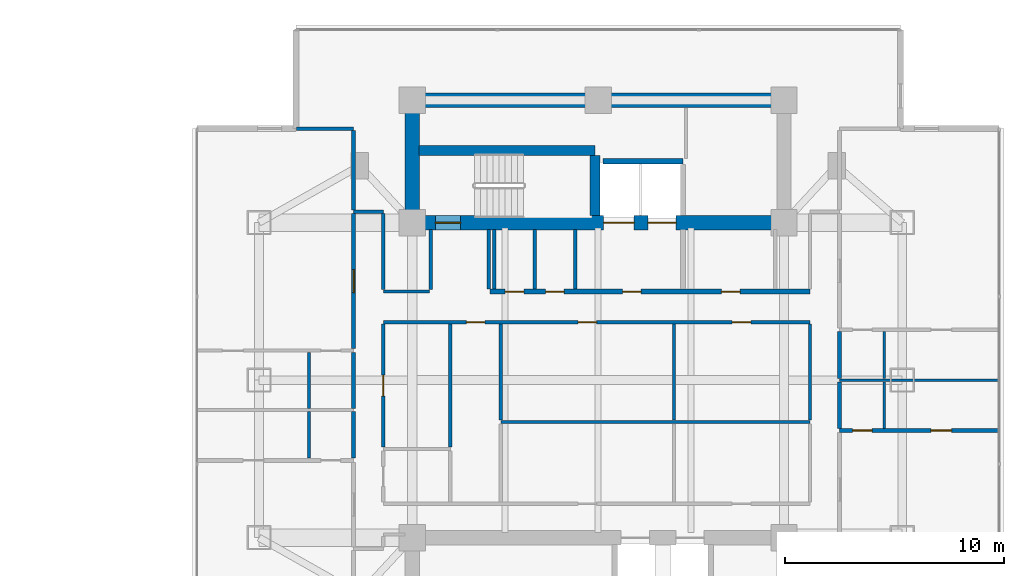
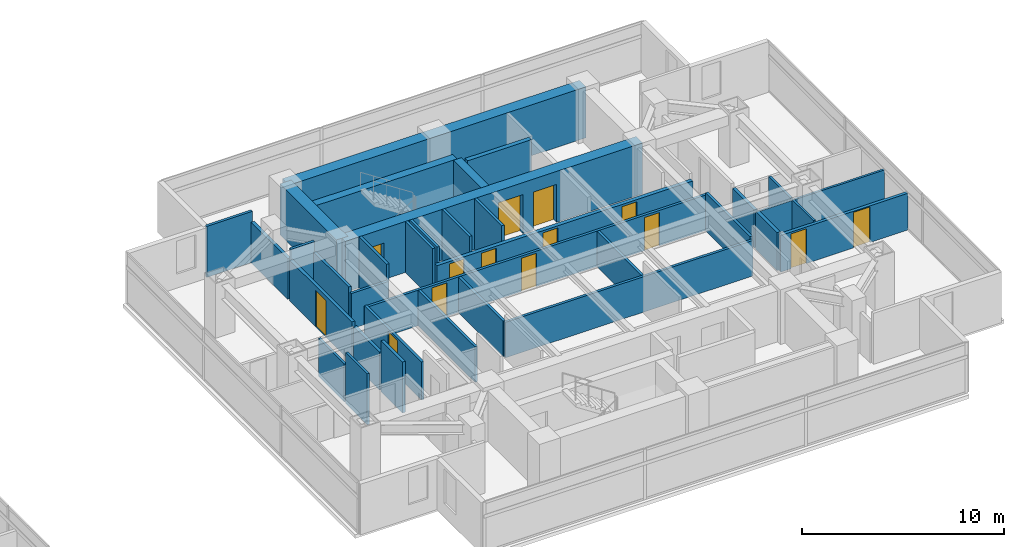
# One storey, part 17 of 25: 35 walls, 14 doors, 14 openings.
"""IFC4 building model written with IfcOpenShell, lengths in metres."""

from ifc_helpers import new_model, si_unit, direction, frame, frame_2d, origin, place, context, subcontext, project, spatial, rectangle, extrude, material, layer, layer_set, type_object, element, fill, save


model = new_model("IFC4")

# Units and contexts
model_context = context("Model", 3, precision=1e-05, world=origin(), true_north=direction((0.0, 1.0)))
body_context = subcontext(model_context, "Body", "Model", "MODEL_VIEW")
ifc_project = project(units=[si_unit("LENGTHUNIT", "METRE"), si_unit("AREAUNIT", "SQUARE_METRE"), si_unit("VOLUMEUNIT", "CUBIC_METRE"), si_unit("PLANEANGLEUNIT", "RADIAN"), si_unit("MASSUNIT", "GRAM", prefix="KILO")], contexts=[model_context])

# Site, building, storey
site_placement = place(None, origin())
site = spatial("IfcSite", under=ifc_project, at=site_placement, CompositionType="ELEMENT")
building_placement = place(site_placement, origin())
building = spatial("IfcBuilding", under=site, at=building_placement, Name="Mirazonda Arch Towers", CompositionType="ELEMENT")
storey_placement = place(building_placement, frame((0.0, 0.0, 104.89990234375)))
storey = spatial("IfcBuildingStorey", under=building, at=storey_placement, Name="L29", CompositionType="ELEMENT", Elevation=104.89990234375)

# Walls
ifc_material_1 = material(Name="Concrete C50/60", Category="concrete")
ifc_layer_1 = layer(ifc_material_1, 0.449951171875, Name="WALL-CORE-450")
ifc_layer_set_1 = layer_set([ifc_layer_1], Name="Concrete C50/60")
wall_type_1 = type_object("IfcWallType", Name="WALL-CORE-450", PredefinedType="SHEAR", material=ifc_layer_set_1)
wall_1_placement = place(storey_placement, frame((68.320068359375, 38.5, 0.0), z_axis=(0.0, 0.0, 1.0), x_axis=(1.0, 0.0, 0.0)))
element("IfcWall", 1, at=wall_1_placement, inside=storey, type_object=wall_type_1, Name="L29 Stair Core Shear Wall 059", PredefinedType="SHEAR", context=body_context, shape_type="SweptSolid", body=[
    extrude(rectangle(XDim=8.0400390625, YDim=0.449951171875, at=frame_2d((4.02001953125, 0.0))), origin(), (0.0, 0.0, 1.0), 3.080078125),
])
wall_2_placement = place(storey_placement, frame((76.360107421875, 35.52001953125, 0.0), z_axis=(0.0, 0.0, 1.0), x_axis=(0.0, 1.0, 0.0)))
element("IfcWall", 2, at=wall_2_placement, inside=storey, type_object=wall_type_1, Name="L29 Stair Core Shear Wall 156", PredefinedType="SHEAR", context=body_context, shape_type="SweptSolid", body=[
    extrude(rectangle(XDim=2.744873046875, YDim=0.449951171875, at=frame_2d((1.37255859375, 0.0))), origin(), (0.0, 0.0, 1.0), 3.080078125),
])
ifc_material_2 = material(Name="Concrete C60/75", Category="concrete")
ifc_layer_2 = layer(ifc_material_2, 0.64990234375, Name="WALL-CORE-650")
ifc_layer_set_2 = layer_set([ifc_layer_2], Name="Concrete C60/75")
wall_type_2 = type_object("IfcWallType", Name="WALL-CORE-650", PredefinedType="SHEAR", material=ifc_layer_set_2)
wall_3_placement = place(storey_placement, frame((68.0, 40.800048828125, 0.0), z_axis=(0.0, 0.0, 1.0), x_axis=(1.0, 0.0, 0.0)))
element("IfcWall", 3, at=wall_3_placement, inside=storey, type_object=wall_type_2, Name="L29 T2N-N Core Shear Wall", PredefinedType="SHEAR", context=body_context, shape_type="SweptSolid", body=[
    extrude(rectangle(XDim=17.0, YDim=0.64990234375, at=frame_2d((8.5, 0.0))), origin(), (0.0, 0.0, 1.0), 3.080078125),
])
wall_4_placement = place(storey_placement, frame((68.0, 35.199951171875, 0.0), z_axis=(0.0, 0.0, 1.0), x_axis=(0.0, 1.0, 0.0)))
element("IfcWall", 4, at=wall_4_placement, inside=storey, type_object=wall_type_2, Name="L29 T2N-W Core Shear Wall", PredefinedType="SHEAR", context=body_context, shape_type="SweptSolid", body=[
    extrude(rectangle(XDim=5.60009765625, YDim=0.64990234375, at=frame_2d((2.800048828125, 0.0))), origin(), (0.0, 0.0, 1.0), 3.080078125),
])

# Wall, openings, doors
wall_5_placement = place(storey_placement, frame((68.0, 35.199951171875, 0.0), z_axis=(0.0, 0.0, 1.0), x_axis=(1.0, 0.0, 0.0)))
wall_5 = element("IfcWall", 5, at=wall_5_placement, inside=storey, type_object=wall_type_2, Name="L29 T2N-S Core Shear Wall", PredefinedType="SHEAR", context=body_context, shape_type="SweptSolid", body=[
    extrude(rectangle(XDim=17.0, YDim=0.64990234375, at=frame_2d((8.5, 0.0))), origin(), (0.0, 0.0, 1.0), 3.080078125),
])
opening_1_placement = place(wall_5_placement, frame((1.06005859375, 0.0, 0.0)))
opening_1 = element("IfcOpeningElement", 6, at=opening_1_placement, cuts=wall_5, Name="Opening DR-135", PredefinedType="OPENING", context=body_context, shape_type="SweptSolid", body=[
    extrude(rectangle(XDim=1.14990234375, YDim=2.199951171875, at=frame_2d((0.574951171875, 1.10009765625))), frame((0.0, 0.3349609375, 0.0), z_axis=(0.0, -1.0, 0.0), x_axis=(1.0, 0.0, 0.0)), (0.0, 0.0, 1.0), 0.669921875),
])
opening_2_placement = place(wall_5_placement, frame((8.75, 0.0, 0.0)))
opening_2 = element("IfcOpeningElement", 7, at=opening_2_placement, cuts=wall_5, Name="Opening LD-112", PredefinedType="OPENING", context=body_context, shape_type="SweptSolid", body=[
    extrude(rectangle(XDim=1.39990234375, YDim=2.35009765625, at=frame_2d((0.699951171875, 1.175048828125))), frame((0.0, 0.3349609375, 0.0), z_axis=(0.0, -1.0, 0.0), x_axis=(1.0, 0.0, 0.0)), (0.0, 0.0, 1.0), 0.669921875),
])
opening_3_placement = place(wall_5_placement, frame((10.77001953125, 0.0, 0.0)))
opening_3 = element("IfcOpeningElement", 8, at=opening_3_placement, cuts=wall_5, Name="Opening LD-111", PredefinedType="OPENING", context=body_context, shape_type="SweptSolid", body=[
    extrude(rectangle(XDim=1.300048828125, YDim=2.300048828125, at=frame_2d((0.64990234375, 1.14990234375))), frame((0.0, 0.3349609375, 0.0), z_axis=(0.0, -1.0, 0.0), x_axis=(1.0, 0.0, 0.0)), (0.0, 0.0, 1.0), 0.669921875),
])
ifc_material_3 = material(Name="Architectural Brushed Steel S355", Category="steel")
door_type_1 = type_object("IfcDoorType", Name="DOOR-LIFT-FFL-1400", OperationType="NOTDEFINED", PredefinedType="DOOR", material=ifc_material_3)
door_1_placement = place(opening_2_placement, origin())
door_1 = element("IfcDoor", 9, at=door_1_placement, inside=storey, type_object=door_type_1, Name="L29 Lift Landing Sliding Door FFL-T2", OperationType="DOUBLE_DOOR_SLIDING", OverallHeight=2.35009765625, OverallWidth=1.39990234375, PredefinedType="DOOR", context=body_context, shape_type="SweptSolid", body=[
    extrude(rectangle(XDim=1.39990234375, YDim=2.35009765625, at=frame_2d((0.699951171875, 1.175048828125))), frame((0.0, 0.02490234375, 0.0), z_axis=(0.0, -1.0, 0.0), x_axis=(1.0, 0.0, 0.0)), (0.0, 0.0, 1.0), 0.050048828125),
])
fill(opening_2, door_1)
door_type_2 = type_object("IfcDoorType", Name="DOOR-LIFT-LAND-1300", OperationType="NOTDEFINED", PredefinedType="DOOR", material=ifc_material_3)
door_2_placement = place(opening_3_placement, origin())
door_2 = element("IfcDoor", 10, at=door_2_placement, inside=storey, type_object=door_type_2, Name="L29 Lift Landing Sliding Door SVL-T2", OperationType="DOUBLE_DOOR_SLIDING", OverallHeight=2.300048828125, OverallWidth=1.300048828125, PredefinedType="DOOR", context=body_context, shape_type="SweptSolid", body=[
    extrude(rectangle(XDim=1.300048828125, YDim=2.300048828125, at=frame_2d((0.64990234375, 1.14990234375))), frame((0.0, 0.02490234375, 0.0), z_axis=(0.0, -1.0, 0.0), x_axis=(1.0, 0.0, 0.0)), (0.0, 0.0, 1.0), 0.050048828125),
])
fill(opening_3, door_2)
door_type_3 = type_object("IfcDoorType", Name="DOOR-STAIR-FD90-1150", OperationType="NOTDEFINED", PredefinedType="DOOR", material=ifc_material_3)
door_3_placement = place(opening_1_placement, origin())
door_3 = element("IfcDoor", 11, at=door_3_placement, inside=storey, type_object=door_type_3, Name="L29 East Protected Stair North Door", OperationType="SINGLE_SWING_LEFT", OverallHeight=2.199951171875, OverallWidth=1.14990234375, PredefinedType="DOOR", context=body_context, shape_type="SweptSolid", body=[
    extrude(rectangle(XDim=1.14990234375, YDim=2.199951171875, at=frame_2d((0.574951171875, 1.10009765625))), frame((0.0, 0.02490234375, 0.0), z_axis=(0.0, -1.0, 0.0), x_axis=(1.0, 0.0, 0.0)), (0.0, 0.0, 1.0), 0.050048828125),
])
fill(opening_1, door_3)

ifc_material_4 = material(Name="Concrete C40/50", Category="concrete")
ifc_layer_3 = layer(ifc_material_4, 0.219970703125, Name="WALL-FFL-220")
ifc_layer_set_3 = layer_set([ifc_layer_3], Name="Concrete C40/50")
wall_type_3 = type_object("IfcWallType", Name="WALL-FFL-220", PredefinedType="SOLIDWALL", material=ifc_layer_set_3)
wall_6_placement = place(storey_placement, frame((71.550048828125, 32.050048828125, 0.0), z_axis=(0.0, 0.0, 1.0), x_axis=(1.0, 0.0, 0.0)))
wall_6 = element("IfcWall", 12, at=wall_6_placement, inside=storey, type_object=wall_type_3, Name="L29 Interior Partition 047", PredefinedType="SOLIDWALL", context=body_context, shape_type="SweptSolid", body=[
    extrude(rectangle(XDim=14.6298828125, YDim=0.219970703125, at=frame_2d((7.31494140625, 0.0))), origin(), (0.0, 0.0, 1.0), 2.14501953125),
])
opening_4_placement = place(wall_6_placement, frame((6.06494140625, 0.0, 0.0)))
opening_4 = element("IfcOpeningElement", 13, at=opening_4_placement, cuts=wall_6, Name="Opening DR-128", PredefinedType="OPENING", context=body_context, shape_type="SweptSolid", body=[
    extrude(rectangle(XDim=0.85009765625, YDim=2.010009765625, at=frame_2d((0.425048828125, 1.0048828125))), frame((0.0, 0.119873046875, 0.0), z_axis=(0.0, -1.0, 0.0), x_axis=(1.0, 0.0, 0.0)), (0.0, 0.0, 1.0), 0.239990234375),
])
opening_5_placement = place(wall_6_placement, frame((10.5849609375, 0.0, 0.0)))
opening_5 = element("IfcOpeningElement", 14, at=opening_5_placement, cuts=wall_6, Name="Opening DR-128", PredefinedType="OPENING", context=body_context, shape_type="SweptSolid", body=[
    extrude(rectangle(XDim=0.85009765625, YDim=2.010009765625, at=frame_2d((0.425048828125, 1.0048828125))), frame((0.0, 0.119873046875, 0.0), z_axis=(0.0, -1.0, 0.0), x_axis=(1.0, 0.0, 0.0)), (0.0, 0.0, 1.0), 0.239990234375),
])
opening_6_placement = place(wall_6_placement, frame((0.699951171875, 0.0, 0.0)))
opening_6 = element("IfcOpeningElement", 15, at=opening_6_placement, cuts=wall_6, Name="Opening DR-128", PredefinedType="OPENING", context=body_context, shape_type="SweptSolid", body=[
    extrude(rectangle(XDim=0.85009765625, YDim=2.010009765625, at=frame_2d((0.425048828125, 1.0048828125))), frame((0.0, 0.119873046875, 0.0), z_axis=(0.0, -1.0, 0.0), x_axis=(1.0, 0.0, 0.0)), (0.0, 0.0, 1.0), 0.239990234375),
])
opening_7_placement = place(wall_6_placement, frame((2.550048828125, 0.0, 0.0)))
opening_7 = element("IfcOpeningElement", 16, at=opening_7_placement, cuts=wall_6, Name="Opening DR-128", PredefinedType="OPENING", context=body_context, shape_type="SweptSolid", body=[
    extrude(rectangle(XDim=0.85009765625, YDim=2.010009765625, at=frame_2d((0.425048828125, 1.0048828125))), frame((0.0, 0.119873046875, 0.0), z_axis=(0.0, -1.0, 0.0), x_axis=(1.0, 0.0, 0.0)), (0.0, 0.0, 1.0), 0.239990234375),
])
door_type_4 = type_object("IfcDoorType", Name="DOOR-RISER-FD60-850", OperationType="NOTDEFINED", PredefinedType="DOOR", material=ifc_material_3)
door_4_placement = place(opening_4_placement, origin())
door_4 = element("IfcDoor", 17, at=door_4_placement, inside=storey, type_object=door_type_4, Name="L29 East Firefighting Lift Lobby Door", OperationType="SINGLE_SWING_RIGHT", OverallHeight=2.010009765625, OverallWidth=0.85009765625, PredefinedType="DOOR", context=body_context, shape_type="SweptSolid", body=[
    extrude(rectangle(XDim=0.85009765625, YDim=2.010009765625, at=frame_2d((0.425048828125, 1.0048828125))), frame((0.0, 0.02490234375, 0.0), z_axis=(0.0, -1.0, 0.0), x_axis=(1.0, 0.0, 0.0)), (0.0, 0.0, 1.0), 0.050048828125),
])
fill(opening_4, door_4)
door_5_placement = place(opening_5_placement, origin())
door_5 = element("IfcDoor", 18, at=door_5_placement, inside=storey, type_object=door_type_4, Name="L29 East Sky Reading Library Door", OperationType="SINGLE_SWING_LEFT", OverallHeight=2.010009765625, OverallWidth=0.85009765625, PredefinedType="DOOR", context=body_context, shape_type="SweptSolid", body=[
    extrude(rectangle(XDim=0.85009765625, YDim=2.010009765625, at=frame_2d((0.425048828125, 1.0048828125))), frame((0.0, 0.02490234375, 0.0), z_axis=(0.0, -1.0, 0.0), x_axis=(1.0, 0.0, 0.0)), (0.0, 0.0, 1.0), 0.050048828125),
])
fill(opening_5, door_5)
door_6_placement = place(opening_6_placement, origin())
door_6 = element("IfcDoor", 19, at=door_6_placement, inside=storey, type_object=door_type_4, Name="L29 Tower 2 Electrical Room Door", OperationType="SINGLE_SWING_RIGHT", OverallHeight=2.010009765625, OverallWidth=0.85009765625, PredefinedType="DOOR", context=body_context, shape_type="SweptSolid", body=[
    extrude(rectangle(XDim=0.85009765625, YDim=2.010009765625, at=frame_2d((0.425048828125, 1.0048828125))), frame((0.0, 0.02490234375, 0.0), z_axis=(0.0, -1.0, 0.0), x_axis=(1.0, 0.0, 0.0)), (0.0, 0.0, 1.0), 0.050048828125),
])
fill(opening_6, door_6)
door_7_placement = place(opening_7_placement, origin())
door_7 = element("IfcDoor", 20, at=door_7_placement, inside=storey, type_object=door_type_4, Name="L29 Tower 2 Cleaners Store Door", OperationType="SINGLE_SWING_LEFT", OverallHeight=2.010009765625, OverallWidth=0.85009765625, PredefinedType="DOOR", context=body_context, shape_type="SweptSolid", body=[
    extrude(rectangle(XDim=0.85009765625, YDim=2.010009765625, at=frame_2d((0.425048828125, 1.0048828125))), frame((0.0, 0.02490234375, 0.0), z_axis=(0.0, -1.0, 0.0), x_axis=(1.0, 0.0, 0.0)), (0.0, 0.0, 1.0), 0.050048828125),
])
fill(opening_7, door_7)

# Wall
ifc_material_5 = material(Name="Fire-Rated Gypsum Stud Partition")
ifc_layer_4 = layer(ifc_material_5, 0.14990234375, Name="WALL-PART-CORR-150")
ifc_layer_set_4 = layer_set([ifc_layer_4], Name="Fire-Rated Gypsum Stud Partition")
wall_type_4 = type_object("IfcWallType", Name="WALL-PART-CORR-150", PredefinedType="PARTITIONING", material=ifc_layer_set_4)
wall_7_placement = place(storey_placement, frame((72.050048828125, 26.0849609375, 0.0), z_axis=(0.0, 0.0, 1.0), x_axis=(1.0, 0.0, 0.0)))
element("IfcWall", 21, at=wall_7_placement, inside=storey, type_object=wall_type_4, Name="L29 Interior Partition 034", PredefinedType="PARTITIONING", context=body_context, shape_type="SweptSolid", body=[
    extrude(rectangle(XDim=14.1298828125, YDim=0.14990234375, at=frame_2d((7.06494140625, 0.0))), origin(), (0.0, 0.0, 1.0), 2.14501953125),
])

# Wall, openings, doors
wall_8_placement = place(storey_placement, frame((66.679931640625, 30.64990234375, 0.0), z_axis=(0.0, 0.0, 1.0), x_axis=(1.0, 0.0, 0.0)))
wall_8 = element("IfcWall", 22, at=wall_8_placement, inside=storey, type_object=wall_type_4, Name="L29 Interior Partition 044", PredefinedType="PARTITIONING", context=body_context, shape_type="SweptSolid", body=[
    extrude(rectangle(XDim=19.5, YDim=0.14990234375, at=frame_2d((9.75, 0.0))), origin(), (0.0, 0.0, 1.0), 2.14501953125),
])
opening_8_placement = place(wall_8_placement, frame((3.794921875, 0.0, 0.0)))
opening_8 = element("IfcOpeningElement", 23, at=opening_8_placement, cuts=wall_8, Name="Opening DR-128", PredefinedType="OPENING", context=body_context, shape_type="SweptSolid", body=[
    extrude(rectangle(XDim=0.85009765625, YDim=2.010009765625, at=frame_2d((0.425048828125, 1.0048828125))), frame((0.0, 0.0849609375, 0.0), z_axis=(0.0, -1.0, 0.0), x_axis=(1.0, 0.0, 0.0)), (0.0, 0.0, 1.0), 0.169921875),
])
opening_9_placement = place(wall_8_placement, frame((8.901611328125, 0.0, 0.0)))
opening_9 = element("IfcOpeningElement", 24, at=opening_9_placement, cuts=wall_8, Name="Opening DR-128", PredefinedType="OPENING", context=body_context, shape_type="SweptSolid", body=[
    extrude(rectangle(XDim=0.85009765625, YDim=2.010009765625, at=frame_2d((0.425048828125, 1.0048828125))), frame((0.0, 0.0849609375, 0.0), z_axis=(0.0, -1.0, 0.0), x_axis=(1.0, 0.0, 0.0)), (0.0, 0.0, 1.0), 0.169921875),
])
opening_10_placement = place(wall_8_placement, frame((15.946533203125, 0.0, 0.0)))
opening_10 = element("IfcOpeningElement", 25, at=opening_10_placement, cuts=wall_8, Name="Opening DR-128", PredefinedType="OPENING", context=body_context, shape_type="SweptSolid", body=[
    extrude(rectangle(XDim=0.85009765625, YDim=2.010009765625, at=frame_2d((0.425048828125, 1.0048828125))), frame((0.0, 0.0849609375, 0.0), z_axis=(0.0, -1.0, 0.0), x_axis=(1.0, 0.0, 0.0)), (0.0, 0.0, 1.0), 0.169921875),
])
door_8_placement = place(opening_8_placement, origin())
door_8 = element("IfcDoor", 26, at=door_8_placement, inside=storey, type_object=door_type_4, Name="L29 L29 East Courtyard Study Door", OperationType="SINGLE_SWING_LEFT", OverallHeight=2.010009765625, OverallWidth=0.85009765625, PredefinedType="DOOR", context=body_context, shape_type="SweptSolid", body=[
    extrude(rectangle(XDim=0.85009765625, YDim=2.010009765625, at=frame_2d((0.425048828125, 1.0048828125))), frame((0.0, 0.02490234375, 0.0), z_axis=(0.0, -1.0, 0.0), x_axis=(1.0, 0.0, 0.0)), (0.0, 0.0, 1.0), 0.050048828125),
])
fill(opening_8, door_8)
door_9_placement = place(opening_9_placement, origin())
door_9 = element("IfcDoor", 27, at=door_9_placement, inside=storey, type_object=door_type_4, Name="L29 Concierge Salon Door", OperationType="SINGLE_SWING_RIGHT", OverallHeight=2.010009765625, OverallWidth=0.85009765625, PredefinedType="DOOR", context=body_context, shape_type="SweptSolid", body=[
    extrude(rectangle(XDim=0.85009765625, YDim=2.010009765625, at=frame_2d((0.425048828125, 1.0048828125))), frame((0.0, 0.02490234375, 0.0), z_axis=(0.0, -1.0, 0.0), x_axis=(1.0, 0.0, 0.0)), (0.0, 0.0, 1.0), 0.050048828125),
])
fill(opening_9, door_9)
door_10_placement = place(opening_10_placement, origin())
door_10 = element("IfcDoor", 28, at=door_10_placement, inside=storey, type_object=door_type_4, Name="L29 Private Meeting Suite Door", OperationType="SINGLE_SWING_LEFT", OverallHeight=2.010009765625, OverallWidth=0.85009765625, PredefinedType="DOOR", context=body_context, shape_type="SweptSolid", body=[
    extrude(rectangle(XDim=0.85009765625, YDim=2.010009765625, at=frame_2d((0.425048828125, 1.0048828125))), frame((0.0, 0.02490234375, 0.0), z_axis=(0.0, -1.0, 0.0), x_axis=(1.0, 0.0, 0.0)), (0.0, 0.0, 1.0), 0.050048828125),
])
fill(opening_10, door_10)

# Walls
wall_9_placement = place(storey_placement, frame((66.679931640625, 32.050048828125, 0.0), z_axis=(0.0, 0.0, 1.0), x_axis=(1.0, 0.0, 0.0)))
element("IfcWall", 29, at=wall_9_placement, inside=storey, type_object=wall_type_4, Name="L29 Interior Partition 046", PredefinedType="PARTITIONING", context=body_context, shape_type="SweptSolid", body=[
    extrude(rectangle(XDim=2.1201171875, YDim=0.14990234375, at=frame_2d((1.06005859375, 0.0))), origin(), (0.0, 0.0, 1.0), 2.14501953125),
])
wall_10_placement = place(storey_placement, frame((65.320068359375, 35.699951171875, 0.0), z_axis=(0.0, 0.0, 1.0), x_axis=(1.0, 0.0, 0.0)))
element("IfcWall", 30, at=wall_10_placement, inside=storey, type_object=wall_type_4, Name="L29 Interior Partition 055", PredefinedType="PARTITIONING", context=body_context, shape_type="SweptSolid", body=[
    extrude(rectangle(XDim=1.35986328125, YDim=0.14990234375, at=frame_2d((0.679931640625, 0.0))), origin(), (0.0, 0.0, 1.0), 3.080078125),
])
wall_11_placement = place(storey_placement, frame((62.703857421875, 39.498046875, 0.0), z_axis=(0.0, 0.0, 1.0), x_axis=(1.0, 0.0, 0.0)))
element("IfcWall", 31, at=wall_11_placement, inside=storey, type_object=wall_type_4, Name="L29 Interior Partition 060", PredefinedType="PARTITIONING", context=body_context, shape_type="SweptSolid", body=[
    extrude(rectangle(XDim=2.6162109375, YDim=0.14990234375, at=frame_2d((1.30810546875, 0.0))), origin(), (0.0, 0.0, 1.0), 3.080078125),
])

# Wall, opening, door
wall_12_placement = place(storey_placement, frame((66.679931640625, 24.93505859375, 0.0), z_axis=(0.0, 0.0, 1.0), x_axis=(0.0, 1.0, 0.0)))
wall_12 = element("IfcWall", 32, at=wall_12_placement, inside=storey, type_object=wall_type_4, Name="L29 Interior Partition 144", PredefinedType="PARTITIONING", context=body_context, shape_type="SweptSolid", body=[
    extrude(rectangle(XDim=5.6298828125, YDim=0.14990234375, at=frame_2d((2.81494140625, 0.0))), origin(), (0.0, 0.0, 1.0), 2.299072265625),
])
opening_11_placement = place(wall_12_placement, frame((2.340087890625, 0.0, 0.0)))
opening_11 = element("IfcOpeningElement", 33, at=opening_11_placement, cuts=wall_12, Name="Opening DR-104", PredefinedType="OPENING", context=body_context, shape_type="SweptSolid", body=[
    extrude(rectangle(XDim=0.949951171875, YDim=2.14990234375, at=frame_2d((0.47509765625, 1.074951171875))), frame((0.0, 0.0849609375, 0.0), z_axis=(0.0, -1.0, 0.0), x_axis=(1.0, 0.0, 0.0)), (0.0, 0.0, 1.0), 0.169921875),
])
door_type_5 = type_object("IfcDoorType", Name="DOOR-ROOM-950", OperationType="NOTDEFINED", PredefinedType="DOOR", material=ifc_material_3)
door_11_placement = place(opening_11_placement, origin())
door_11 = element("IfcDoor", 34, at=door_11_placement, inside=storey, type_object=door_type_5, Name="L29 L29 East Courtyard Reading Study Door", OperationType="SINGLE_SWING_RIGHT", OverallHeight=2.14990234375, OverallWidth=0.949951171875, PredefinedType="DOOR", context=body_context, shape_type="SweptSolid", body=[
    extrude(rectangle(XDim=0.949951171875, YDim=2.14990234375, at=frame_2d((0.47509765625, 1.074951171875))), frame((0.0, 0.02490234375, 0.0), z_axis=(0.0, -1.0, 0.0), x_axis=(1.0, 0.0, 0.0)), (0.0, 0.0, 1.0), 0.050048828125),
])
fill(opening_11, door_11)

# Walls
wall_13_placement = place(storey_placement, frame((66.679931640625, 32.135009765625, 0.0), z_axis=(0.0, 0.0, 1.0), x_axis=(0.0, 1.0, 0.0)))
element("IfcWall", 35, at=wall_13_placement, inside=storey, type_object=wall_type_4, Name="L29 Interior Partition 145", PredefinedType="PARTITIONING", context=body_context, shape_type="SweptSolid", body=[
    extrude(rectangle(XDim=3.47998046875, YDim=0.14990234375, at=frame_2d((1.739990234375, 0.0))), origin(), (0.0, 0.0, 1.0), 2.47216796875),
])
wall_14_placement = place(storey_placement, frame((68.85009765625, 32.135009765625, 0.0), z_axis=(0.0, 0.0, 1.0), x_axis=(0.0, 1.0, 0.0)))
element("IfcWall", 36, at=wall_14_placement, inside=storey, type_object=wall_type_4, Name="L29 Interior Partition 146", PredefinedType="PARTITIONING", context=body_context, shape_type="SweptSolid", body=[
    extrude(rectangle(XDim=2.744873046875, YDim=0.14990234375, at=frame_2d((1.37255859375, 0.0))), origin(), (0.0, 0.0, 1.0), 3.080078125),
])
wall_15_placement = place(storey_placement, frame((69.743408203125, 24.93505859375, 0.0), z_axis=(0.0, 0.0, 1.0), x_axis=(0.0, 1.0, 0.0)))
element("IfcWall", 37, at=wall_15_placement, inside=storey, type_object=wall_type_4, Name="L29 Interior Partition 148", PredefinedType="PARTITIONING", context=body_context, shape_type="SweptSolid", body=[
    extrude(rectangle(XDim=5.6298828125, YDim=0.14990234375, at=frame_2d((2.81494140625, 0.0))), origin(), (0.0, 0.0, 1.0), 2.14501953125),
])
for number, where, z_axis, x_axis, name in (
    (38, (71.5, 32.169921875, 0.0), (0.0, 0.0, 1.0), (0.0, 1.0, 0.0), "L29 Interior Partition 149"),
    (39, (71.75, 32.169921875, 0.0), (0.0, 0.0, 1.0), (0.0, 1.0, 0.0), "L29 Interior Partition 150"),
):
    element("IfcWall", number, at=place(storey_placement, frame(where, z_axis=z_axis, x_axis=x_axis)), inside=storey, type_object=wall_type_4, Name=name, PredefinedType="PARTITIONING", context=body_context, shape_type="SweptSolid", body=[
        extrude(rectangle(XDim=2.7099609375, YDim=0.14990234375, at=frame_2d((1.35498046875, 0.0))), origin(), (0.0, 0.0, 1.0), 3.080078125),
    ])
wall_16_placement = place(storey_placement, frame((72.050048828125, 26.169921875, 0.0), z_axis=(0.0, 0.0, 1.0), x_axis=(0.0, 1.0, 0.0)))
element("IfcWall", 40, at=wall_16_placement, inside=storey, type_object=wall_type_4, Name="L29 Interior Partition 152", PredefinedType="PARTITIONING", context=body_context, shape_type="SweptSolid", body=[
    extrude(rectangle(XDim=4.39501953125, YDim=0.14990234375, at=frame_2d((2.197509765625, 0.0))), origin(), (0.0, 0.0, 1.0), 2.14501953125),
])
for number, where, z_axis, x_axis, name in (
    (41, (73.60009765625, 32.169921875, 0.0), (0.0, 0.0, 1.0), (0.0, 1.0, 0.0), "L29 Interior Partition 153"),
    (42, (75.449951171875, 32.169921875, 0.0), (0.0, 0.0, 1.0), (0.0, 1.0, 0.0), "L29 Interior Partition 154"),
):
    element("IfcWall", number, at=place(storey_placement, frame(where, z_axis=z_axis, x_axis=x_axis)), inside=storey, type_object=wall_type_4, Name=name, PredefinedType="PARTITIONING", context=body_context, shape_type="SweptSolid", body=[
        extrude(rectangle(XDim=2.7099609375, YDim=0.14990234375, at=frame_2d((1.35498046875, 0.0))), origin(), (0.0, 0.0, 1.0), 3.080078125),
    ])
wall_17_placement = place(storey_placement, frame((79.962890625, 26.169921875, 0.0), z_axis=(0.0, 0.0, 1.0), x_axis=(0.0, 1.0, 0.0)))
element("IfcWall", 43, at=wall_17_placement, inside=storey, type_object=wall_type_4, Name="L29 Interior Partition 159", PredefinedType="PARTITIONING", context=body_context, shape_type="SweptSolid", body=[
    extrude(rectangle(XDim=4.39501953125, YDim=0.14990234375, at=frame_2d((2.197509765625, 0.0))), origin(), (0.0, 0.0, 1.0), 2.14501953125),
])
wall_18_placement = place(storey_placement, frame((86.179931640625, 26.169921875, 0.0), z_axis=(0.0, 0.0, 1.0), x_axis=(0.0, 1.0, 0.0)))
element("IfcWall", 44, at=wall_18_placement, inside=storey, type_object=wall_type_4, Name="L29 Interior Partition 167", PredefinedType="PARTITIONING", context=body_context, shape_type="SweptSolid", body=[
    extrude(rectangle(XDim=4.39501953125, YDim=0.14990234375, at=frame_2d((2.197509765625, 0.0))), origin(), (0.0, 0.0, 1.0), 2.299072265625),
])

# Wall, openings, doors
ifc_material_6 = material(Name="Fire-Rated Gypsum Twin-Stud Assembly")
ifc_layer_5 = layer(ifc_material_6, 0.179931640625, Name="WALL-PART-DEMISE-180")
ifc_layer_set_5 = layer_set([ifc_layer_5], Name="Fire-Rated Gypsum Twin-Stud Assembly")
wall_type_5 = type_object("IfcWallType", Name="WALL-PART-DEMISE-180", PredefinedType="PARTITIONING", material=ifc_layer_set_5)
wall_19_placement = place(storey_placement, frame((87.5400390625, 25.699951171875, 0.0), z_axis=(0.0, 0.0, 1.0), x_axis=(1.0, 0.0, 0.0)))
wall_19 = element("IfcWall", 45, at=wall_19_placement, inside=storey, type_object=wall_type_5, Name="L29 Interior Partition 033", PredefinedType="PARTITIONING", context=body_context, shape_type="SweptSolid", body=[
    extrude(rectangle(XDim=7.2919921875, YDim=0.179931640625, at=frame_2d((3.64599609375, 0.0))), origin(), (0.0, 0.0, 1.0), 2.216064453125),
])
opening_12_placement = place(wall_19_placement, frame((4.1708984375, 0.0, 0.0)))
opening_12 = element("IfcOpeningElement", 46, at=opening_12_placement, cuts=wall_19, Name="Opening DR-104", PredefinedType="OPENING", context=body_context, shape_type="SweptSolid", body=[
    extrude(rectangle(XDim=0.949951171875, YDim=2.14990234375, at=frame_2d((0.47509765625, 1.074951171875))), frame((0.0, 0.099853515625, 0.0), z_axis=(0.0, -1.0, 0.0), x_axis=(1.0, 0.0, 0.0)), (0.0, 0.0, 1.0), 0.199951171875),
])
opening_13_placement = place(wall_19_placement, frame((0.590087890625, 0.0, 0.0)))
opening_13 = element("IfcOpeningElement", 47, at=opening_13_placement, cuts=wall_19, Name="Opening DR-120", PredefinedType="OPENING", context=body_context, shape_type="SweptSolid", body=[
    extrude(rectangle(XDim=0.89990234375, YDim=2.10009765625, at=frame_2d((0.449951171875, 1.050048828125))), frame((0.0, 0.099853515625, 0.0), z_axis=(0.0, -1.0, 0.0), x_axis=(1.0, 0.0, 0.0)), (0.0, 0.0, 1.0), 0.199951171875),
])
door_12_placement = place(opening_12_placement, origin())
door_12 = element("IfcDoor", 48, at=door_12_placement, inside=storey, type_object=door_type_5, Name="L29 Guestroom Study 1 Door", OperationType="SINGLE_SWING_LEFT", OverallHeight=2.14990234375, OverallWidth=0.949951171875, PredefinedType="DOOR", context=body_context, shape_type="SweptSolid", body=[
    extrude(rectangle(XDim=0.949951171875, YDim=2.14990234375, at=frame_2d((0.47509765625, 1.074951171875))), frame((0.0, 0.02490234375, 0.0), z_axis=(0.0, -1.0, 0.0), x_axis=(1.0, 0.0, 0.0)), (0.0, 0.0, 1.0), 0.050048828125),
])
fill(opening_12, door_12)
door_type_6 = type_object("IfcDoorType", Name="DOOR-WC-900", OperationType="NOTDEFINED", PredefinedType="DOOR", material=ifc_material_3)
door_13_placement = place(opening_13_placement, origin())
door_13 = element("IfcDoor", 49, at=door_13_placement, inside=storey, type_object=door_type_6, Name="L29 En-Suite Bathroom 1 Door", OperationType="SINGLE_SWING_RIGHT", OverallHeight=2.10009765625, OverallWidth=0.89990234375, PredefinedType="DOOR", context=body_context, shape_type="SweptSolid", body=[
    extrude(rectangle(XDim=0.89990234375, YDim=2.10009765625, at=frame_2d((0.449951171875, 1.050048828125))), frame((0.0, 0.02490234375, 0.0), z_axis=(0.0, -1.0, 0.0), x_axis=(1.0, 0.0, 0.0)), (0.0, 0.0, 1.0), 0.050048828125),
])
fill(opening_13, door_13)

# Walls
wall_20_placement = place(storey_placement, frame((65.320068359375, 24.431884765625, 0.0), z_axis=(0.0, 0.0, 1.0), x_axis=(0.0, 1.0, 0.0)))
element("IfcWall", 50, at=wall_20_placement, inside=storey, type_object=wall_type_5, Name="L29 Interior Partition 138", PredefinedType="PARTITIONING", context=body_context, shape_type="SweptSolid", body=[
    extrude(rectangle(XDim=2.127685546875, YDim=0.179931640625, at=frame_2d((1.06396484375, 0.0))), origin(), (0.0, 0.0, 1.0), 3.080078125),
])
wall_21_placement = place(storey_placement, frame((65.320068359375, 26.70458984375, 0.0), z_axis=(0.0, 0.0, 1.0), x_axis=(0.0, 1.0, 0.0)))
element("IfcWall", 51, at=wall_21_placement, inside=storey, type_object=wall_type_5, Name="L29 Interior Partition 139", PredefinedType="PARTITIONING", context=body_context, shape_type="SweptSolid", body=[
    extrude(rectangle(XDim=2.5625, YDim=0.179931640625, at=frame_2d((1.28125, 0.0))), origin(), (0.0, 0.0, 1.0), 2.299072265625),
])

# Wall, opening, door
wall_22_placement = place(storey_placement, frame((65.320068359375, 29.43701171875, 0.0), z_axis=(0.0, 0.0, 1.0), x_axis=(0.0, 1.0, 0.0)))
wall_22 = element("IfcWall", 52, at=wall_22_placement, inside=storey, type_object=wall_type_5, Name="L29 Interior Partition 140", PredefinedType="PARTITIONING", context=body_context, shape_type="SweptSolid", body=[
    extrude(rectangle(XDim=6.177978515625, YDim=0.179931640625, at=frame_2d((3.0888671875, 0.0))), origin(), (0.0, 0.0, 1.0), 2.47216796875),
])
opening_14_placement = place(wall_22_placement, frame((2.56396484375, 0.0, 0.0)))
opening_14 = element("IfcOpeningElement", 53, at=opening_14_placement, cuts=wall_22, Name="Opening DR-121", PredefinedType="OPENING", context=body_context, shape_type="SweptSolid", body=[
    extrude(rectangle(XDim=1.050048828125, YDim=2.199951171875, at=frame_2d((0.52490234375, 1.10009765625))), frame((0.0, 0.099853515625, 0.0), z_axis=(0.0, -1.0, 0.0), x_axis=(1.0, 0.0, 0.0)), (0.0, 0.0, 1.0), 0.199951171875),
])
door_type_7 = type_object("IfcDoorType", Name="DOOR-SUITE-FD60-1050", OperationType="NOTDEFINED", PredefinedType="DOOR", material=ifc_material_3)
door_14_placement = place(opening_14_placement, origin())
door_14 = element("IfcDoor", 54, at=door_14_placement, inside=storey, type_object=door_type_7, Name="L29 Presidential Hotel Suite 2 Door", OperationType="SINGLE_SWING_LEFT", OverallHeight=2.199951171875, OverallWidth=1.050048828125, PredefinedType="DOOR", context=body_context, shape_type="SweptSolid", body=[
    extrude(rectangle(XDim=1.050048828125, YDim=2.199951171875, at=frame_2d((0.52490234375, 1.10009765625))), frame((0.0, 0.02490234375, 0.0), z_axis=(0.0, -1.0, 0.0), x_axis=(1.0, 0.0, 0.0)), (0.0, 0.0, 1.0), 0.050048828125),
])
fill(opening_14, door_14)

# Walls
wall_23_placement = place(storey_placement, frame((65.320068359375, 35.784912109375, 0.0), z_axis=(0.0, 0.0, 1.0), x_axis=(0.0, 1.0, 0.0)))
element("IfcWall", 55, at=wall_23_placement, inside=storey, type_object=wall_type_5, Name="L29 Interior Partition 141", PredefinedType="PARTITIONING", context=body_context, shape_type="SweptSolid", body=[
    extrude(rectangle(XDim=3.628173828125, YDim=0.179931640625, at=frame_2d((1.81396484375, 0.0))), origin(), (0.0, 0.0, 1.0), 2.4560546875),
])
wall_24_placement = place(storey_placement, frame((87.5400390625, 25.800048828125, 0.0), z_axis=(0.0, 0.0, 1.0), x_axis=(0.0, 1.0, 0.0)))
element("IfcWall", 56, at=wall_24_placement, inside=storey, type_object=wall_type_5, Name="L29 Interior Partition 171", PredefinedType="PARTITIONING", context=body_context, shape_type="SweptSolid", body=[
    extrude(rectangle(XDim=2.12744140625, YDim=0.179931640625, at=frame_2d((1.063720703125, 0.0))), origin(), (0.0, 0.0, 1.0), 2.299072265625),
])
wall_25_placement = place(storey_placement, frame((87.5400390625, 28.072509765625, 0.0), z_axis=(0.0, 0.0, 1.0), x_axis=(0.0, 1.0, 0.0)))
element("IfcWall", 57, at=wall_25_placement, inside=storey, type_object=wall_type_5, Name="L29 Interior Partition 172", PredefinedType="PARTITIONING", context=body_context, shape_type="SweptSolid", body=[
    extrude(rectangle(XDim=2.142578125, YDim=0.179931640625, at=frame_2d((1.0712890625, 0.0))), origin(), (0.0, 0.0, 1.0), 2.299072265625),
])
ifc_material_7 = material(Name="Acoustic Fire-Rated Gypsum Partition")
ifc_layer_6 = layer(ifc_material_7, 0.125, Name="WALL-PART-UNIT-125")
ifc_layer_set_6 = layer_set([ifc_layer_6], Name="Acoustic Fire-Rated Gypsum Partition")
wall_type_6 = type_object("IfcWallType", Name="WALL-PART-UNIT-125", PredefinedType="PARTITIONING", material=ifc_layer_set_6)
wall_26_placement = place(storey_placement, frame((87.5400390625, 28.0, 0.0), z_axis=(0.0, 0.0, 1.0), x_axis=(1.0, 0.0, 0.0)))
element("IfcWall", 58, at=wall_26_placement, inside=storey, type_object=wall_type_6, Name="L29 Interior Partition 040", PredefinedType="PARTITIONING", context=body_context, shape_type="SweptSolid", body=[
    extrude(rectangle(XDim=7.2919921875, YDim=0.125, at=frame_2d((3.64599609375, 0.0))), origin(), (0.0, 0.0, 1.0), 2.216064453125),
])
wall_27_placement = place(storey_placement, frame((63.280029296875, 24.431884765625, 0.0), z_axis=(0.0, 0.0, 1.0), x_axis=(0.0, 1.0, 0.0)))
element("IfcWall", 59, at=wall_27_placement, inside=storey, type_object=wall_type_6, Name="L29 Interior Partition 134", PredefinedType="PARTITIONING", context=body_context, shape_type="SweptSolid", body=[
    extrude(rectangle(XDim=2.127685546875, YDim=0.125, at=frame_2d((1.06396484375, 0.0))), origin(), (0.0, 0.0, 1.0), 3.080078125),
])
wall_28_placement = place(storey_placement, frame((63.280029296875, 26.70458984375, 0.0), z_axis=(0.0, 0.0, 1.0), x_axis=(0.0, 1.0, 0.0)))
element("IfcWall", 60, at=wall_28_placement, inside=storey, type_object=wall_type_6, Name="L29 Interior Partition 135", PredefinedType="PARTITIONING", context=body_context, shape_type="SweptSolid", body=[
    extrude(rectangle(XDim=2.5625, YDim=0.125, at=frame_2d((1.28125, 0.0))), origin(), (0.0, 0.0, 1.0), 2.299072265625),
])
wall_29_placement = place(storey_placement, frame((89.580078125, 25.800048828125, 0.0), z_axis=(0.0, 0.0, 1.0), x_axis=(0.0, 1.0, 0.0)))
element("IfcWall", 61, at=wall_29_placement, inside=storey, type_object=wall_type_6, Name="L29 Interior Partition 175", PredefinedType="PARTITIONING", context=body_context, shape_type="SweptSolid", body=[
    extrude(rectangle(XDim=2.12744140625, YDim=0.125, at=frame_2d((1.063720703125, 0.0))), origin(), (0.0, 0.0, 1.0), 2.299072265625),
])
wall_30_placement = place(storey_placement, frame((89.580078125, 28.072509765625, 0.0), z_axis=(0.0, 0.0, 1.0), x_axis=(0.0, 1.0, 0.0)))
element("IfcWall", 62, at=wall_30_placement, inside=storey, type_object=wall_type_6, Name="L29 Interior Partition 176", PredefinedType="PARTITIONING", context=body_context, shape_type="SweptSolid", body=[
    extrude(rectangle(XDim=2.142578125, YDim=0.125, at=frame_2d((1.0712890625, 0.0))), origin(), (0.0, 0.0, 1.0), 2.299072265625),
])
ifc_layer_7 = layer(ifc_material_4, 0.25, Name="WALL-SHAFT-250")
ifc_layer_set_7 = layer_set([ifc_layer_7], Name="Concrete C40/50")
wall_type_7 = type_object("IfcWallType", Name="WALL-SHAFT-250", PredefinedType="SOLIDWALL", material=ifc_layer_set_7)
wall_31_placement = place(storey_placement, frame((76.719970703125, 38.0, 0.0), z_axis=(0.0, 0.0, 1.0), x_axis=(1.0, 0.0, 0.0)))
element("IfcWall", 63, at=wall_31_placement, inside=storey, type_object=wall_type_7, Name="L29 Interior Partition 058", PredefinedType="SOLIDWALL", context=body_context, shape_type="SweptSolid", body=[
    extrude(rectangle(XDim=3.659912109375, YDim=0.25, at=frame_2d((1.830078125, 0.0))), origin(), (0.0, 0.0, 1.0), 3.080078125),
])

save(model, "model.ifc")
